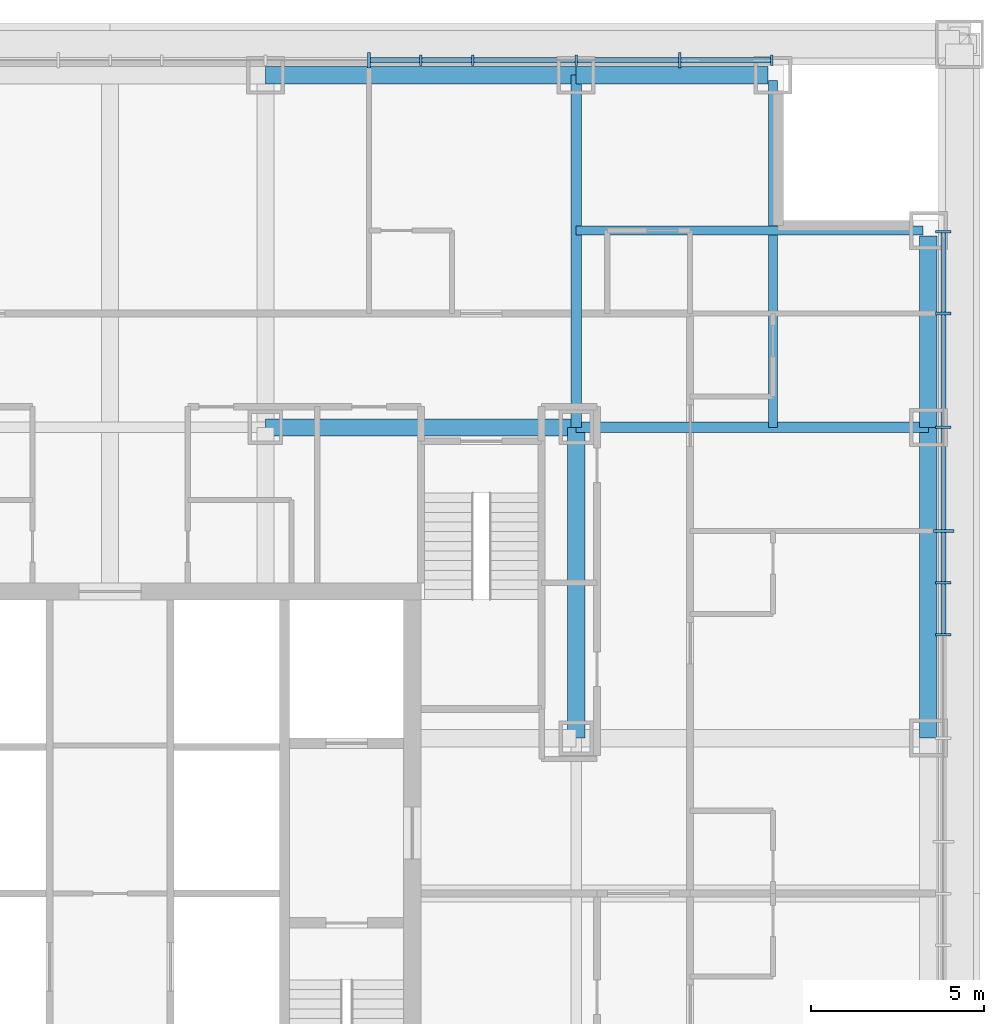
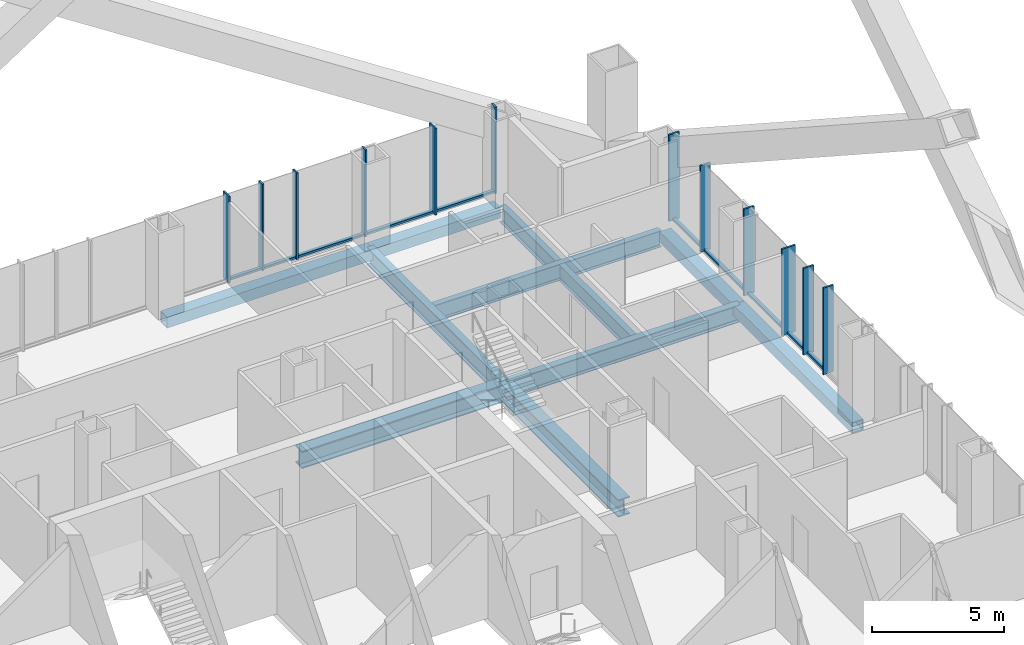
# One storey, part 9 of 21: 22 members, 10 beams, 2 elements without a shape of their own.
"""IFC4 building model written with IfcOpenShell, lengths in metres."""

import ifcopenshell
import ifcopenshell.guid

model = None  # the IFC model being written
_history = None  # IfcOwnerHistory: only IFC2X3 demands one
_inside = {}  # id of a spatial element -> (the spatial element, [elements in it])
_under = {}  # id of a project, library or spatial element -> (it, [spatial elements below it])
_declared = {}  # id of a project -> (the project, [libraries it declares])
_typed = {}  # id of a type object -> (the type object, [elements of that type])
_made_of = {}  # id of a material, layer set ... -> (it, [elements and type objects made of it])


def new_model(schema):
    """Start an empty IFC model of exactly this schema.

    Asked for "IFC4X3", IfcOpenShell would pick the latest addendum, in which some entities
    have other attributes; the version numbers below select the first issue.
    IFC2X3 requires an IfcOwnerHistory on every rooted entity: one is made here for all.
    """
    global model, _history
    if schema == "IFC4X3":
        model = ifcopenshell.file(schema_version=(4, 3, 0, 0))
    else:
        model = ifcopenshell.file(schema=schema)
    _inside.clear()
    _under.clear()
    _declared.clear()
    _typed.clear()
    _made_of.clear()
    _history = None
    if model.schema == "IFC2X3":
        org = make("IfcOrganization", Name="unknown")
        user = make(
            "IfcPersonAndOrganization",
            ThePerson=make("IfcPerson", FamilyName="unknown"),
            TheOrganization=org,
        )
        app = make(
            "IfcApplication",
            ApplicationDeveloper=org,
            Version="unknown",
            ApplicationFullName="unknown",
            ApplicationIdentifier="unknown",
        )
        _history = make(
            "IfcOwnerHistory",
            OwningUser=user,
            OwningApplication=app,
            ChangeAction="ADDED",
            CreationDate=0,
        )
    return model


def make(cls, **values):
    """One entity of the class cls with the attributes given. An attribute that is None is left unset."""
    return model.create_entity(
        cls, **{name: value for name, value in values.items() if value is not None}
    )


def rooted(cls, **values):
    """An entity with a GlobalId (a new one), such as an element, a storey or a relation."""
    return make(cls, GlobalId=ifcopenshell.guid.new(), OwnerHistory=_history, **values)


def si_unit(unit_type, name, prefix=None):
    """IfcSIUnit, for example si_unit("LENGTHUNIT", "METRE", prefix="MILLI")."""
    return make("IfcSIUnit", UnitType=unit_type, Prefix=prefix, Name=name)


def assignment(units):
    """IfcUnitAssignment: the units of a project."""
    return None if units is None else make("IfcUnitAssignment", Units=units)


def point(xyz):
    """IfcCartesianPoint."""
    return None if xyz is None else make("IfcCartesianPoint", Coordinates=xyz)


def direction(xyz):
    """IfcDirection."""
    return None if xyz is None else make("IfcDirection", DirectionRatios=xyz)


def frame(location, z_axis=None, x_axis=None):
    """IfcAxis2Placement3D, a coordinate frame: its origin and axes. An axis left out is left unset."""
    return make(
        "IfcAxis2Placement3D",
        Location=point(location),
        Axis=direction(z_axis),
        RefDirection=direction(x_axis),
    )


def frame_2d(location, x_axis=None):
    """IfcAxis2Placement2D, a coordinate frame in the plane: its origin and x axis."""
    return make(
        "IfcAxis2Placement2D", Location=point(location), RefDirection=direction(x_axis)
    )


def origin():
    """The frame at (0, 0, 0) with its axes left unset."""
    return frame((0.0, 0.0, 0.0))


def origin_2d():
    """The frame at (0, 0) in the plane with its x axis left unset."""
    return frame_2d((0.0, 0.0))


def place(relative_to, where):
    """IfcLocalPlacement: puts the frame where relative to a parent placement (None: the world)."""
    return make(
        "IfcLocalPlacement", PlacementRelTo=relative_to, RelativePlacement=where
    )


def context(
    kind, dimensions, precision=None, world=None, true_north=None, identifier=None
):
    """IfcGeometricRepresentationContext, for example the 3D "Model" context."""
    return make(
        "IfcGeometricRepresentationContext",
        ContextIdentifier=identifier,
        ContextType=kind,
        CoordinateSpaceDimension=dimensions,
        Precision=precision,
        WorldCoordinateSystem=world,
        TrueNorth=true_north,
    )


def subcontext(parent, identifier, kind, view, scale=None):
    """IfcGeometricRepresentationSubContext, for example "Body" below "Model"."""
    return make(
        "IfcGeometricRepresentationSubContext",
        ContextIdentifier=identifier,
        ContextType=kind,
        ParentContext=parent,
        TargetScale=scale,
        TargetView=view,
    )


def project(units=None, contexts=None):
    """IfcProject with its units and contexts."""
    return rooted(
        "IfcProject",
        Name="project",
        RepresentationContexts=contexts,
        UnitsInContext=assignment(units),
    )


def spatial(cls, under=None, at=None, **own):
    """A site, building, storey or space (cls), placed at a placement, below another one or the project."""
    s = rooted(cls, ObjectPlacement=at, **own)
    if under is not None:
        _under.setdefault(under.id(), (under, []))[1].append(s)
    return s


def profile(cls, at=None, kind="AREA", **sizes):
    """A parametric profile (cls). Its sizes go by their IFC names, for example OverallWidth=200.0."""
    return make(cls, ProfileType=kind, Position=at, **sizes)


def rectangle(**sizes):
    """IfcRectangleProfileDef."""
    return profile("IfcRectangleProfileDef", **sizes)


def hollow_rectangle(**sizes):
    """IfcRectangleHollowProfileDef."""
    return profile("IfcRectangleHollowProfileDef", **sizes)


def i_section(**sizes):
    """IfcIShapeProfileDef."""
    return profile("IfcIShapeProfileDef", **sizes)


def extrude(swept, where, along, depth):
    """IfcExtrudedAreaSolid: the profile swept, set in the frame where, extruded along a direction by depth."""
    return make(
        "IfcExtrudedAreaSolid",
        SweptArea=swept,
        Position=where,
        ExtrudedDirection=direction(along),
        Depth=depth,
    )


def shape(context_of_items, identifier, shape_type, items):
    """IfcShapeRepresentation: the items that make up one representation, for example the "Body"."""
    return make(
        "IfcShapeRepresentation",
        ContextOfItems=context_of_items,
        RepresentationIdentifier=identifier,
        RepresentationType=shape_type,
        Items=items,
    )


def material(Name=None, Category=None):
    """IfcMaterial."""
    return make("IfcMaterial", Name=Name, Category=Category)


def layer(
    of_material, thickness, ventilated=None, Name=None, Category=None, Priority=None
):
    """IfcMaterialLayer: one layer of a wall or slab, of a material (None: an air gap)."""
    return make(
        "IfcMaterialLayer",
        Material=of_material,
        LayerThickness=thickness,
        IsVentilated=ventilated,
        Name=Name,
        Category=Category,
        Priority=Priority,
    )


def layer_set(layers, Name=None):
    """IfcMaterialLayerSet."""
    return make("IfcMaterialLayerSet", MaterialLayers=layers, LayerSetName=Name)


def material_profile(
    of_material, cross_section, Name=None, Category=None, Priority=None
):
    """IfcMaterialProfile: a cross section and its material."""
    return make(
        "IfcMaterialProfile",
        Name=Name,
        Material=of_material,
        Profile=cross_section,
        Priority=Priority,
        Category=Category,
    )


def profile_set(profiles, Name=None, composite=None):
    """IfcMaterialProfileSet."""
    return make(
        "IfcMaterialProfileSet",
        Name=Name,
        MaterialProfiles=profiles,
        CompositeProfile=composite,
    )


def made_of(thing, what):
    """Note that an element or type object is made of a material, layer set ...; save() writes the relation."""
    if what is not None:
        _made_of.setdefault(what.id(), (what, []))[1].append(thing)
    return thing


def type_object(cls, material=None, **own):
    """A type object (cls), such as IfcWallType, which elements share."""
    return made_of(rooted(cls, **own), material)


def element(
    cls,
    number,
    at=None,
    inside=None,
    cuts=None,
    type_object=None,
    material=None,
    context=None,
    identifier="Body",
    shape_type=None,
    held_by="IfcProductDefinitionShape",
    body=None,
    shapes=None,
    **own,
):
    """One element of the class cls, such as IfcWall. Its Tag is "e" and its number.

    at: its placement. inside: the storey or other place that contains it. cuts: it is an
    opening in that element (IfcRelVoidsElement). A single representation is given by context,
    identifier, shape_type and body (its items); several are given by shapes. held_by: the class
    of the entity that holds the representations. save() writes the other relations.
    """
    e = rooted(cls, Tag="e%d" % number, ObjectPlacement=at, **own)
    if body is not None:
        shapes = [shape(context, identifier, shape_type, body)]
    if shapes is not None:
        e.Representation = make(held_by, Representations=shapes)
    if inside is not None:
        _inside.setdefault(inside.id(), (inside, []))[1].append(e)
    if cuts is not None:
        rooted(
            "IfcRelVoidsElement", RelatingBuildingElement=cuts, RelatedOpeningElement=e
        )
    if type_object is not None:
        _typed.setdefault(type_object.id(), (type_object, []))[1].append(e)
    return made_of(e, material)


def aggregate(whole, parts):
    """IfcRelAggregates: a whole, such as a stair, and the parts it consists of."""
    return rooted("IfcRelAggregates", RelatingObject=whole, RelatedObjects=parts)


def save(model, path):
    """Write the relations noted so far, then the file.

    IfcRelAggregates (storeys below a building ...), IfcRelContainedInSpatialStructure (elements
    in a storey), IfcRelDefinesByType, IfcRelAssociatesMaterial and IfcRelDeclares: one each for
    every whole, place, type object, material and project.
    """
    for whole, parts in _under.values():
        aggregate(whole, parts)
    for where, things in _inside.values():
        rooted(
            "IfcRelContainedInSpatialStructure",
            RelatedElements=things,
            RelatingStructure=where,
        )
    for kind, things in _typed.values():
        rooted("IfcRelDefinesByType", RelatedObjects=things, RelatingType=kind)
    for what, things in _made_of.values():
        rooted("IfcRelAssociatesMaterial", RelatedObjects=things, RelatingMaterial=what)
    for by, libraries in _declared.values():
        rooted("IfcRelDeclares", RelatingContext=by, RelatedDefinitions=libraries)
    model.write(path)


model = new_model("IFC4")

# Units and contexts
model_context = context("Model", 3, precision=1e-05, world=origin(), true_north=direction((0.0, 1.0)))
body_context = subcontext(model_context, "Body", "Model", "MODEL_VIEW")
ifc_project = project(units=[si_unit("LENGTHUNIT", "METRE"), si_unit("AREAUNIT", "SQUARE_METRE"), si_unit("VOLUMEUNIT", "CUBIC_METRE"), si_unit("PLANEANGLEUNIT", "RADIAN"), si_unit("MASSUNIT", "GRAM", prefix="KILO")], contexts=[model_context])

# Site, building, storey
site_placement = place(None, origin())
site = spatial("IfcSite", under=ifc_project, at=site_placement, CompositionType="ELEMENT")
building_placement = place(site_placement, origin())
building = spatial("IfcBuilding", under=site, at=building_placement, Name="Malebo Sky Hospital", CompositionType="ELEMENT")
storey_placement = place(building_placement, frame((0.0, 0.0, 140.0)))
storey = spatial("IfcBuildingStorey", under=building, at=storey_placement, Name="L33", CompositionType="ELEMENT", Elevation=140.0)

# Curtain wall, members
ifc_material_1 = material(Name="Anodised aluminium, natural silver", Category="aluminium")
ifc_layer_1 = layer(ifc_material_1, 0.25)
ifc_layer_set_1 = layer_set([ifc_layer_1], Name="WARD CURTAIN WALL NORTH AND SOUTH")
curtain_wall_type_1 = type_object("IfcCurtainWallType", Name="WARD CURTAIN WALL NORTH AND SOUTH", PredefinedType="NOTDEFINED", material=ifc_layer_set_1)
curtain_wall_1_placement = place(storey_placement, origin())
curtain_wall_1 = element("IfcCurtainWall", 1, at=curtain_wall_1_placement, inside=storey, type_object=curtain_wall_type_1, Name="NS curtain wall N", PredefinedType="NOTDEFINED")
ifc_material_profile_1 = material_profile(ifc_material_1, rectangle(XDim=0.14990234375, YDim=0.10009765625, at=origin_2d()), Name="ALUMINIUM TRANSOM 150x100")
ifc_profile_set_1 = profile_set([ifc_material_profile_1], Name="Anodised aluminium, natural silver")
member_type_1 = type_object("IfcMemberType", Name="ALUMINIUM TRANSOM 150x100", PredefinedType="USERDEFINED", material=ifc_profile_set_1)
member_1_placement = place(storey_placement, frame((67.53759765625, 86.135009765625, 0.050048828125), z_axis=(1.0, 0.0, 0.0), x_axis=(0.0, 1.0, 0.0)))
member_1 = element("IfcMember", 2, at=member_1_placement, type_object=member_type_1, Name="Transom 12", ObjectType="TRANSOM", PredefinedType="USERDEFINED", context=body_context, shape_type="SweptSolid", body=[
    extrude(rectangle(XDim=0.14990234375, YDim=0.10009765625, at=origin_2d()), origin(), (0.0, 0.0, 1.0), 1.4248046875),
])
member_2_placement = place(storey_placement, frame((69.03759765625, 86.135009765625, 0.050048828125), z_axis=(1.0, 0.0, 0.0), x_axis=(0.0, 1.0, 0.0)))
member_2 = element("IfcMember", 3, at=member_2_placement, type_object=member_type_1, Name="Transom 13", ObjectType="TRANSOM", PredefinedType="USERDEFINED", context=body_context, shape_type="SweptSolid", body=[
    extrude(rectangle(XDim=0.14990234375, YDim=0.10009765625, at=origin_2d()), origin(), (0.0, 0.0, 1.0), 1.4248046875),
])
member_3_placement = place(storey_placement, frame((70.53759765625, 86.135009765625, 0.050048828125), z_axis=(1.0, 0.0, 0.0), x_axis=(0.0, 1.0, 0.0)))
member_3 = element("IfcMember", 4, at=member_3_placement, type_object=member_type_1, Name="Transom 14", ObjectType="TRANSOM", PredefinedType="USERDEFINED", context=body_context, shape_type="SweptSolid", body=[
    extrude(rectangle(XDim=0.14990234375, YDim=0.10009765625, at=origin_2d()), origin(), (0.0, 0.0, 1.0), 2.9248046875),
])
member_4_placement = place(storey_placement, frame((73.53759765625, 86.135009765625, 0.050048828125), z_axis=(1.0, 0.0, 0.0), x_axis=(0.0, 1.0, 0.0)))
member_4 = element("IfcMember", 5, at=member_4_placement, type_object=member_type_1, Name="Transom 15", ObjectType="TRANSOM", PredefinedType="USERDEFINED", context=body_context, shape_type="SweptSolid", body=[
    extrude(rectangle(XDim=0.14990234375, YDim=0.10009765625, at=origin_2d()), origin(), (0.0, 0.0, 1.0), 2.9248046875),
])
member_5_placement = place(storey_placement, frame((76.53759765625, 86.135009765625, 0.050048828125), z_axis=(1.0, 0.0, 0.0), x_axis=(0.0, 1.0, 0.0)))
member_5 = element("IfcMember", 6, at=member_5_placement, type_object=member_type_1, Name="Transom 16", ObjectType="TRANSOM", PredefinedType="USERDEFINED", context=body_context, shape_type="SweptSolid", body=[
    extrude(rectangle(XDim=0.14990234375, YDim=0.10009765625, at=origin_2d()), origin(), (0.0, 0.0, 1.0), 2.58740234375),
])

ifc_layer_2 = layer(ifc_material_1, 0.25)
ifc_layer_set_2 = layer_set([ifc_layer_2], Name="WARD CURTAIN WALL EAST AND WEST")
curtain_wall_type_2 = type_object("IfcCurtainWallType", Name="WARD CURTAIN WALL EAST AND WEST", PredefinedType="NOTDEFINED", material=ifc_layer_set_2)
curtain_wall_2_placement = place(storey_placement, origin())
curtain_wall_2 = element("IfcCurtainWall", 7, at=curtain_wall_2_placement, inside=storey, type_object=curtain_wall_type_2, Name="EW curtain wall E", PredefinedType="NOTDEFINED")
member_6_placement = place(storey_placement, frame((84.135009765625, 81.125, 0.050048828125), z_axis=(0.0, -1.0, 0.0), x_axis=(1.0, 0.0, 0.0)))
member_6 = element("IfcMember", 8, at=member_6_placement, type_object=member_type_1, Name="Transom 1", ObjectType="TRANSOM", PredefinedType="USERDEFINED", context=body_context, shape_type="SweptSolid", body=[
    extrude(rectangle(XDim=0.14990234375, YDim=0.10009765625, at=origin_2d()), origin(), (0.0, 0.0, 1.0), 2.28759765625),
])
member_7_placement = place(storey_placement, frame((84.135009765625, 78.762451171875, 0.050048828125), z_axis=(0.0, -1.0, 0.0), x_axis=(1.0, 0.0, 0.0)))
member_7 = element("IfcMember", 9, at=member_7_placement, type_object=member_type_1, Name="Transom 2", ObjectType="TRANSOM", PredefinedType="USERDEFINED", context=body_context, shape_type="SweptSolid", body=[
    extrude(rectangle(XDim=0.14990234375, YDim=0.10009765625, at=origin_2d()), origin(), (0.0, 0.0, 1.0), 3.224853515625),
])
member_8_placement = place(storey_placement, frame((84.135009765625, 75.46240234375, 0.050048828125), z_axis=(0.0, -1.0, 0.0), x_axis=(1.0, 0.0, 0.0)))
member_8 = element("IfcMember", 10, at=member_8_placement, type_object=member_type_1, Name="Transom 3", ObjectType="TRANSOM", PredefinedType="USERDEFINED", context=body_context, shape_type="SweptSolid", body=[
    extrude(rectangle(XDim=0.14990234375, YDim=0.10009765625, at=origin_2d()), origin(), (0.0, 0.0, 1.0), 2.9248046875),
])
member_9_placement = place(storey_placement, frame((84.135009765625, 72.46240234375, 0.050048828125), z_axis=(0.0, -1.0, 0.0), x_axis=(1.0, 0.0, 0.0)))
member_9 = element("IfcMember", 11, at=member_9_placement, type_object=member_type_1, Name="Transom 4", ObjectType="TRANSOM", PredefinedType="USERDEFINED", context=body_context, shape_type="SweptSolid", body=[
    extrude(rectangle(XDim=0.14990234375, YDim=0.10009765625, at=origin_2d()), origin(), (0.0, 0.0, 1.0), 1.4248046875),
])
member_10_placement = place(storey_placement, frame((84.135009765625, 70.96240234375, 0.050048828125), z_axis=(0.0, -1.0, 0.0), x_axis=(1.0, 0.0, 0.0)))
member_10 = element("IfcMember", 12, at=member_10_placement, type_object=member_type_1, Name="Transom 5", ObjectType="TRANSOM", PredefinedType="USERDEFINED", context=body_context, shape_type="SweptSolid", body=[
    extrude(rectangle(XDim=0.14990234375, YDim=0.10009765625, at=origin_2d()), origin(), (0.0, 0.0, 1.0), 1.4248046875),
])

# Member
ifc_material_profile_2 = material_profile(ifc_material_1, rectangle(XDim=0.074951171875, YDim=0.300048828125, at=origin_2d()), Name="CW1 ALUMINIUM FIN MULLION 75x300")
ifc_profile_set_2 = profile_set([ifc_material_profile_2], Name="Anodised aluminium, natural silver")
member_type_2 = type_object("IfcMemberType", Name="CW1 ALUMINIUM FIN MULLION 75x300", PredefinedType="MULLION", material=ifc_profile_set_2)
member_11_placement = place(storey_placement, frame((69.0, 86.135009765625, 0.0), z_axis=(0.0, 0.0, 1.0), x_axis=(1.0, 0.0, 0.0)))
member_11 = element("IfcMember", 13, at=member_11_placement, type_object=member_type_2, Name="Fin mullion 13", PredefinedType="MULLION", context=body_context, shape_type="SweptSolid", body=[
    extrude(rectangle(XDim=0.074951171875, YDim=0.300048828125, at=origin_2d()), origin(), (0.0, 0.0, 1.0), 4.0),
])

member_12_placement = place(storey_placement, frame((70.5, 86.135009765625, 0.0), z_axis=(0.0, 0.0, 1.0), x_axis=(1.0, 0.0, 0.0)))
member_12 = element("IfcMember", 14, at=member_12_placement, type_object=member_type_2, Name="Fin mullion 14", PredefinedType="MULLION", context=body_context, shape_type="SweptSolid", body=[
    extrude(rectangle(XDim=0.074951171875, YDim=0.300048828125, at=origin_2d()), origin(), (0.0, 0.0, 1.0), 4.0),
])

member_13_placement = place(storey_placement, frame((73.5, 86.135009765625, 0.0), z_axis=(0.0, 0.0, 1.0), x_axis=(1.0, 0.0, 0.0)))
member_13 = element("IfcMember", 15, at=member_13_placement, type_object=member_type_2, Name="Fin mullion 15", PredefinedType="MULLION", context=body_context, shape_type="SweptSolid", body=[
    extrude(rectangle(XDim=0.074951171875, YDim=0.300048828125, at=origin_2d()), origin(), (0.0, 0.0, 1.0), 4.0),
])

member_14_placement = place(storey_placement, frame((79.16259765625, 86.135009765625, 0.0), z_axis=(0.0, 0.0, 1.0), x_axis=(1.0, 0.0, 0.0)))
member_14 = element("IfcMember", 16, at=member_14_placement, type_object=member_type_2, Name="Fin mullion 17", PredefinedType="MULLION", context=body_context, shape_type="SweptSolid", body=[
    extrude(rectangle(XDim=0.074951171875, YDim=0.300048828125, at=origin_2d()), origin(), (0.0, 0.0, 1.0), 4.0),
])

ifc_material_profile_3 = material_profile(ifc_material_1, rectangle(XDim=0.074951171875, YDim=0.449951171875, at=origin_2d()), Name="CW1 ALUMINIUM FIN MULLION 75x450")
ifc_profile_set_3 = profile_set([ifc_material_profile_3], Name="Anodised aluminium, natural silver")
member_type_3 = type_object("IfcMemberType", Name="CW1 ALUMINIUM FIN MULLION 75x450", PredefinedType="MULLION", material=ifc_profile_set_3)
member_15_placement = place(storey_placement, frame((67.5, 86.135009765625, 0.0), z_axis=(0.0, 0.0, 1.0), x_axis=(1.0, 0.0, 0.0)))
member_15 = element("IfcMember", 17, at=member_15_placement, type_object=member_type_3, Name="Fin mullion 12", PredefinedType="MULLION", context=body_context, shape_type="SweptSolid", body=[
    extrude(rectangle(XDim=0.074951171875, YDim=0.449951171875, at=origin_2d()), origin(), (0.0, 0.0, 1.0), 4.0),
])

member_16_placement = place(storey_placement, frame((76.5, 86.135009765625, 0.0), z_axis=(0.0, 0.0, 1.0), x_axis=(1.0, 0.0, 0.0)))
member_16 = element("IfcMember", 18, at=member_16_placement, type_object=member_type_3, Name="Fin mullion 16", PredefinedType="MULLION", context=body_context, shape_type="SweptSolid", body=[
    extrude(rectangle(XDim=0.074951171875, YDim=0.449951171875, at=origin_2d()), origin(), (0.0, 0.0, 1.0), 4.0),
])

aggregate(curtain_wall_1, [member_15, member_11, member_12, member_13, member_16, member_14, member_1, member_2, member_3, member_4, member_5])

ifc_material_profile_4 = material_profile(ifc_material_1, rectangle(XDim=0.074951171875, YDim=0.449951171875, at=origin_2d()), Name="CW2 ALUMINIUM FIN MULLION 75x450")
ifc_profile_set_4 = profile_set([ifc_material_profile_4], Name="Anodised aluminium, natural silver")
member_type_4 = type_object("IfcMemberType", Name="CW2 ALUMINIUM FIN MULLION 75x450", PredefinedType="MULLION", material=ifc_profile_set_4)
member_17_placement = place(storey_placement, frame((84.135009765625, 81.16259765625, 0.0), z_axis=(0.0, 0.0, 1.0), x_axis=(0.0, -1.0, 0.0)))
member_17 = element("IfcMember", 19, at=member_17_placement, type_object=member_type_4, Name="Fin mullion 1", PredefinedType="MULLION", context=body_context, shape_type="SweptSolid", body=[
    extrude(rectangle(XDim=0.074951171875, YDim=0.449951171875, at=origin_2d()), origin(), (0.0, 0.0, 1.0), 4.0),
])

member_18_placement = place(storey_placement, frame((84.135009765625, 78.800048828125, 0.0), z_axis=(0.0, 0.0, 1.0), x_axis=(0.0, -1.0, 0.0)))
member_18 = element("IfcMember", 20, at=member_18_placement, type_object=member_type_4, Name="Fin mullion 2", PredefinedType="MULLION", context=body_context, shape_type="SweptSolid", body=[
    extrude(rectangle(XDim=0.074951171875, YDim=0.449951171875, at=origin_2d()), origin(), (0.0, 0.0, 1.0), 4.0),
])

member_19_placement = place(storey_placement, frame((84.135009765625, 75.5, 0.0), z_axis=(0.0, 0.0, 1.0), x_axis=(0.0, -1.0, 0.0)))
member_19 = element("IfcMember", 21, at=member_19_placement, type_object=member_type_4, Name="Fin mullion 3", PredefinedType="MULLION", context=body_context, shape_type="SweptSolid", body=[
    extrude(rectangle(XDim=0.074951171875, YDim=0.449951171875, at=origin_2d()), origin(), (0.0, 0.0, 1.0), 4.0),
])

member_20_placement = place(storey_placement, frame((84.135009765625, 71.0, 0.0), z_axis=(0.0, 0.0, 1.0), x_axis=(0.0, -1.0, 0.0)))
member_20 = element("IfcMember", 22, at=member_20_placement, type_object=member_type_4, Name="Fin mullion 5", PredefinedType="MULLION", context=body_context, shape_type="SweptSolid", body=[
    extrude(rectangle(XDim=0.074951171875, YDim=0.449951171875, at=origin_2d()), origin(), (0.0, 0.0, 1.0), 4.0),
])

member_21_placement = place(storey_placement, frame((84.135009765625, 69.5, 0.0), z_axis=(0.0, 0.0, 1.0), x_axis=(0.0, -1.0, 0.0)))
member_21 = element("IfcMember", 23, at=member_21_placement, type_object=member_type_4, Name="Fin mullion 6", PredefinedType="MULLION", context=body_context, shape_type="SweptSolid", body=[
    extrude(rectangle(XDim=0.074951171875, YDim=0.449951171875, at=origin_2d()), origin(), (0.0, 0.0, 1.0), 4.0),
])

ifc_material_profile_5 = material_profile(ifc_material_1, rectangle(XDim=0.074951171875, YDim=0.60009765625, at=origin_2d()), Name="CW2 ALUMINIUM FIN MULLION 75x600")
ifc_profile_set_5 = profile_set([ifc_material_profile_5], Name="Anodised aluminium, natural silver")
member_type_5 = type_object("IfcMemberType", Name="CW2 ALUMINIUM FIN MULLION 75x600", PredefinedType="MULLION", material=ifc_profile_set_5)
member_22_placement = place(storey_placement, frame((84.135009765625, 72.5, 0.0), z_axis=(0.0, 0.0, 1.0), x_axis=(0.0, -1.0, 0.0)))
member_22 = element("IfcMember", 24, at=member_22_placement, type_object=member_type_5, Name="Fin mullion 4", PredefinedType="MULLION", context=body_context, shape_type="SweptSolid", body=[
    extrude(rectangle(XDim=0.074951171875, YDim=0.60009765625, at=origin_2d()), origin(), (0.0, 0.0, 1.0), 4.0),
])

aggregate(curtain_wall_2, [member_17, member_18, member_19, member_22, member_20, member_21, member_6, member_7, member_8, member_9, member_10])

# Beams
ifc_material_2 = material(Name="Steel S460", Category="steel")
ifc_material_profile_6 = material_profile(ifc_material_2, hollow_rectangle(XDim=0.5, YDim=0.5, WallThickness=0.030029296875, at=origin_2d()), Name="BOX 500x500x30")
ifc_profile_set_6 = profile_set([ifc_material_profile_6], Name="Steel S460")
beam_type_1 = type_object("IfcBeamType", Name="EDGE BEAM BOX 500x500x30", PredefinedType="BEAM", material=ifc_profile_set_6)
beam_1_placement = place(storey_placement, frame((83.699951171875, 66.5, -0.5), z_axis=(0.0, 1.0, 0.0), x_axis=(-1.0, 0.0, 0.0)))
element("IfcBeam", 25, at=beam_1_placement, inside=storey, type_object=beam_type_1, Name="Beam 032 L33", PredefinedType="BEAM", context=body_context, shape_type="SweptSolid", body=[
    extrude(hollow_rectangle(XDim=0.5, YDim=0.5, WallThickness=0.030029296875, at=origin_2d()), origin(), (0.0, 0.0, 1.0), 9.0),
])
beam_2_placement = place(storey_placement, frame((83.699951171875, 75.5, -0.5), z_axis=(0.0, 1.0, 0.0), x_axis=(-1.0, 0.0, 0.0)))
element("IfcBeam", 26, at=beam_2_placement, inside=storey, type_object=beam_type_1, Name="Beam 033 L33", PredefinedType="BEAM", context=body_context, shape_type="SweptSolid", body=[
    extrude(hollow_rectangle(XDim=0.5, YDim=0.5, WallThickness=0.030029296875, at=origin_2d()), origin(), (0.0, 0.0, 1.0), 5.550048828125),
])
beam_3_placement = place(storey_placement, frame((64.5, 85.699951171875, -0.5), z_axis=(1.0, 0.0, 0.0), x_axis=(0.0, 1.0, 0.0)))
element("IfcBeam", 27, at=beam_3_placement, inside=storey, type_object=beam_type_1, Name="Beam 066 L33", PredefinedType="BEAM", context=body_context, shape_type="SweptSolid", body=[
    extrude(hollow_rectangle(XDim=0.5, YDim=0.5, WallThickness=0.030029296875, at=origin_2d()), origin(), (0.0, 0.0, 1.0), 9.0),
])
beam_4_placement = place(storey_placement, frame((73.5, 85.699951171875, -0.5), z_axis=(1.0, 0.0, 0.0), x_axis=(0.0, 1.0, 0.0)))
element("IfcBeam", 28, at=beam_4_placement, inside=storey, type_object=beam_type_1, Name="Beam 067 L33", PredefinedType="BEAM", context=body_context, shape_type="SweptSolid", body=[
    extrude(hollow_rectangle(XDim=0.5, YDim=0.5, WallThickness=0.030029296875, at=origin_2d()), origin(), (0.0, 0.0, 1.0), 5.550048828125),
])
ifc_material_3 = material(Name="Steel S355", Category="steel")
ifc_material_profile_7 = material_profile(ifc_material_3, i_section(OverallWidth=0.262939453125, OverallDepth=0.7529296875, WebThickness=0.011474609375, FlangeThickness=0.01708984375, FilletRadius=0.01708984375, at=origin_2d()), Name="IPE 750x137")
ifc_profile_set_7 = profile_set([ifc_material_profile_7], Name="Steel S355")
beam_type_2 = type_object("IfcBeamType", Name="FLOOR BEAM IPE 750x137", PredefinedType="BEAM", material=ifc_profile_set_7)
for number, where, z_axis, x_axis, name in (
    (29, (79.199951171875, 75.5, -0.62646484375), (0.0, 1.0, 0.0), (-1.0, 0.0, 0.0), "Beam 028 L33"),
    (30, (73.5, 81.199951171875, -0.62646484375), (1.0, 0.0, 0.0), (0.0, 1.0, 0.0), "Beam 062 L33"),
):
    element("IfcBeam", number, at=place(storey_placement, frame(where, z_axis=z_axis, x_axis=x_axis)), inside=storey, type_object=beam_type_2, Name=name, PredefinedType="BEAM", context=body_context, shape_type="SweptSolid", body=[
        extrude(i_section(OverallWidth=0.262939453125, OverallDepth=0.7529296875, WebThickness=0.011474609375, FlangeThickness=0.01708984375, FilletRadius=0.01708984375, at=origin_2d()), origin(), (0.0, 0.0, 1.0), 10.050048828125),
    ])
ifc_material_profile_8 = material_profile(ifc_material_3, i_section(OverallWidth=0.5, OverallDepth=0.800048828125, WebThickness=0.030029296875, FlangeThickness=0.050048828125, at=origin_2d()), Name="PG 800x500x30x50")
ifc_profile_set_8 = profile_set([ifc_material_profile_8], Name="Steel S355")
beam_type_3 = type_object("IfcBeamType", Name="FLOOR BEAM PG 800x500x30x50", PredefinedType="BEAM", material=ifc_profile_set_8)
for number, where, z_axis, x_axis, name in (
    (31, (73.5, 66.5, -0.64990234375), (0.0, 1.0, 0.0), (-1.0, 0.0, 0.0), "Beam 025 L33"),
    (32, (64.5, 75.5, -0.64990234375), (1.0, 0.0, 0.0), (0.0, 1.0, 0.0), "Beam 059 L33"),
):
    element("IfcBeam", number, at=place(storey_placement, frame(where, z_axis=z_axis, x_axis=x_axis)), inside=storey, type_object=beam_type_3, Name=name, PredefinedType="BEAM", context=body_context, shape_type="SweptSolid", body=[
        extrude(i_section(OverallWidth=0.5, OverallDepth=0.800048828125, WebThickness=0.030029296875, FlangeThickness=0.050048828125, at=origin_2d()), origin(), (0.0, 0.0, 1.0), 9.0),
    ])
ifc_material_profile_9 = material_profile(ifc_material_3, i_section(OverallWidth=0.300048828125, OverallDepth=0.800048828125, WebThickness=0.017578125, FlangeThickness=0.032958984375, FilletRadius=0.030029296875, at=origin_2d()), Name="HEB 800")
ifc_profile_set_9 = profile_set([ifc_material_profile_9], Name="Steel S355")
beam_type_4 = type_object("IfcBeamType", Name="FLOOR GIRDER HEB 800", PredefinedType="BEAM", material=ifc_profile_set_9)
for number, where, z_axis, x_axis, name in (
    (33, (73.5, 75.5, -0.64990234375), (0.0, 1.0, 0.0), (-1.0, 0.0, 0.0), "Beam 026 L33"),
    (34, (73.5, 75.5, -0.64990234375), (1.0, 0.0, 0.0), (0.0, 1.0, 0.0), "Beam 060 L33"),
):
    element("IfcBeam", number, at=place(storey_placement, frame(where, z_axis=z_axis, x_axis=x_axis)), inside=storey, type_object=beam_type_4, Name=name, PredefinedType="BEAM", context=body_context, shape_type="SweptSolid", body=[
        extrude(i_section(OverallWidth=0.300048828125, OverallDepth=0.800048828125, WebThickness=0.017578125, FlangeThickness=0.032958984375, FilletRadius=0.030029296875, at=origin_2d()), origin(), (0.0, 0.0, 1.0), 10.199951171875),
    ])

save(model, "model.ifc")
